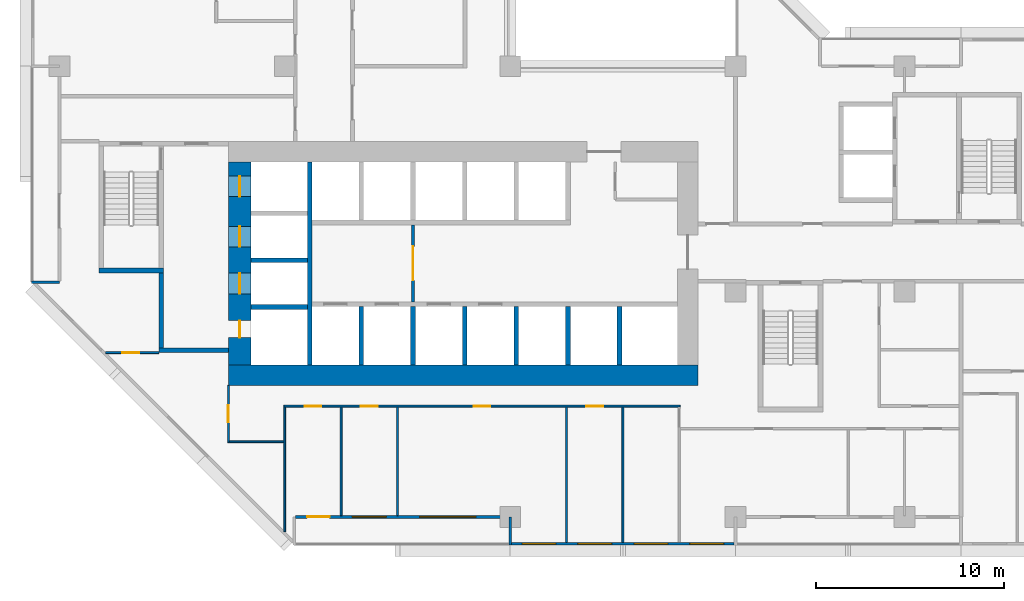
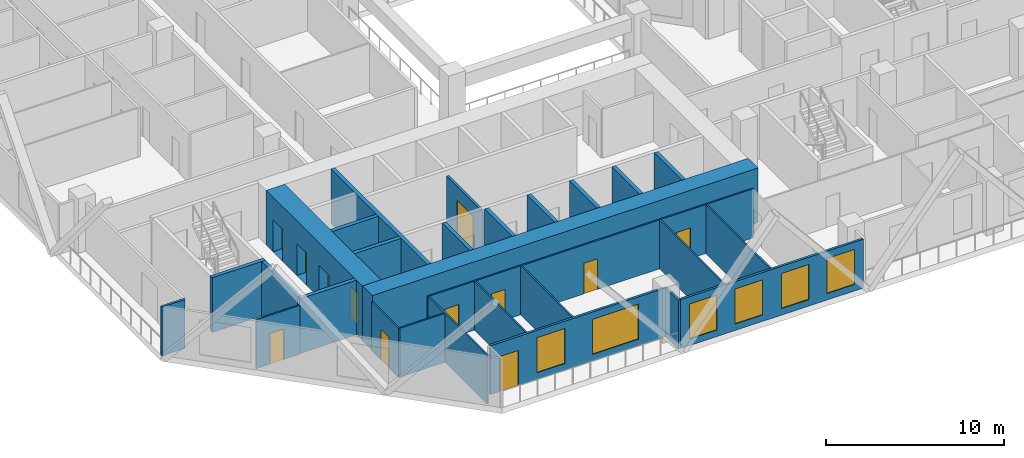
# One storey, part 4 of 15: 28 walls, 12 doors, 6 windows, 18 openings.
"""IFC4 building model written with IfcOpenShell, lengths in metres."""

import ifcopenshell
import ifcopenshell.guid

model = None  # the IFC model being written
_history = None  # IfcOwnerHistory: only IFC2X3 demands one
_inside = {}  # id of a spatial element -> (the spatial element, [elements in it])
_under = {}  # id of a project, library or spatial element -> (it, [spatial elements below it])
_declared = {}  # id of a project -> (the project, [libraries it declares])
_typed = {}  # id of a type object -> (the type object, [elements of that type])
_made_of = {}  # id of a material, layer set ... -> (it, [elements and type objects made of it])


def new_model(schema):
    """Start an empty IFC model of exactly this schema.

    Asked for "IFC4X3", IfcOpenShell would pick the latest addendum, in which some entities
    have other attributes; the version numbers below select the first issue.
    IFC2X3 requires an IfcOwnerHistory on every rooted entity: one is made here for all.
    """
    global model, _history
    if schema == "IFC4X3":
        model = ifcopenshell.file(schema_version=(4, 3, 0, 0))
    else:
        model = ifcopenshell.file(schema=schema)
    _inside.clear()
    _under.clear()
    _declared.clear()
    _typed.clear()
    _made_of.clear()
    _history = None
    if model.schema == "IFC2X3":
        org = make("IfcOrganization", Name="unknown")
        user = make(
            "IfcPersonAndOrganization",
            ThePerson=make("IfcPerson", FamilyName="unknown"),
            TheOrganization=org,
        )
        app = make(
            "IfcApplication",
            ApplicationDeveloper=org,
            Version="unknown",
            ApplicationFullName="unknown",
            ApplicationIdentifier="unknown",
        )
        _history = make(
            "IfcOwnerHistory",
            OwningUser=user,
            OwningApplication=app,
            ChangeAction="ADDED",
            CreationDate=0,
        )
    return model


def make(cls, **values):
    """One entity of the class cls with the attributes given. An attribute that is None is left unset."""
    return model.create_entity(
        cls, **{name: value for name, value in values.items() if value is not None}
    )


def rooted(cls, **values):
    """An entity with a GlobalId (a new one), such as an element, a storey or a relation."""
    return make(cls, GlobalId=ifcopenshell.guid.new(), OwnerHistory=_history, **values)


def si_unit(unit_type, name, prefix=None):
    """IfcSIUnit, for example si_unit("LENGTHUNIT", "METRE", prefix="MILLI")."""
    return make("IfcSIUnit", UnitType=unit_type, Prefix=prefix, Name=name)


def assignment(units):
    """IfcUnitAssignment: the units of a project."""
    return None if units is None else make("IfcUnitAssignment", Units=units)


def point(xyz):
    """IfcCartesianPoint."""
    return None if xyz is None else make("IfcCartesianPoint", Coordinates=xyz)


def direction(xyz):
    """IfcDirection."""
    return None if xyz is None else make("IfcDirection", DirectionRatios=xyz)


def frame(location, z_axis=None, x_axis=None):
    """IfcAxis2Placement3D, a coordinate frame: its origin and axes. An axis left out is left unset."""
    return make(
        "IfcAxis2Placement3D",
        Location=point(location),
        Axis=direction(z_axis),
        RefDirection=direction(x_axis),
    )


def frame_2d(location, x_axis=None):
    """IfcAxis2Placement2D, a coordinate frame in the plane: its origin and x axis."""
    return make(
        "IfcAxis2Placement2D", Location=point(location), RefDirection=direction(x_axis)
    )


def origin():
    """The frame at (0, 0, 0) with its axes left unset."""
    return frame((0.0, 0.0, 0.0))


def place(relative_to, where):
    """IfcLocalPlacement: puts the frame where relative to a parent placement (None: the world)."""
    return make(
        "IfcLocalPlacement", PlacementRelTo=relative_to, RelativePlacement=where
    )


def context(
    kind, dimensions, precision=None, world=None, true_north=None, identifier=None
):
    """IfcGeometricRepresentationContext, for example the 3D "Model" context."""
    return make(
        "IfcGeometricRepresentationContext",
        ContextIdentifier=identifier,
        ContextType=kind,
        CoordinateSpaceDimension=dimensions,
        Precision=precision,
        WorldCoordinateSystem=world,
        TrueNorth=true_north,
    )


def subcontext(parent, identifier, kind, view, scale=None):
    """IfcGeometricRepresentationSubContext, for example "Body" below "Model"."""
    return make(
        "IfcGeometricRepresentationSubContext",
        ContextIdentifier=identifier,
        ContextType=kind,
        ParentContext=parent,
        TargetScale=scale,
        TargetView=view,
    )


def project(units=None, contexts=None):
    """IfcProject with its units and contexts."""
    return rooted(
        "IfcProject",
        Name="project",
        RepresentationContexts=contexts,
        UnitsInContext=assignment(units),
    )


def spatial(cls, under=None, at=None, **own):
    """A site, building, storey or space (cls), placed at a placement, below another one or the project."""
    s = rooted(cls, ObjectPlacement=at, **own)
    if under is not None:
        _under.setdefault(under.id(), (under, []))[1].append(s)
    return s


def profile(cls, at=None, kind="AREA", **sizes):
    """A parametric profile (cls). Its sizes go by their IFC names, for example OverallWidth=200.0."""
    return make(cls, ProfileType=kind, Position=at, **sizes)


def rectangle(**sizes):
    """IfcRectangleProfileDef."""
    return profile("IfcRectangleProfileDef", **sizes)


def extrude(swept, where, along, depth):
    """IfcExtrudedAreaSolid: the profile swept, set in the frame where, extruded along a direction by depth."""
    return make(
        "IfcExtrudedAreaSolid",
        SweptArea=swept,
        Position=where,
        ExtrudedDirection=direction(along),
        Depth=depth,
    )


def shape(context_of_items, identifier, shape_type, items):
    """IfcShapeRepresentation: the items that make up one representation, for example the "Body"."""
    return make(
        "IfcShapeRepresentation",
        ContextOfItems=context_of_items,
        RepresentationIdentifier=identifier,
        RepresentationType=shape_type,
        Items=items,
    )


def material(Name=None, Category=None):
    """IfcMaterial."""
    return make("IfcMaterial", Name=Name, Category=Category)


def layer(
    of_material, thickness, ventilated=None, Name=None, Category=None, Priority=None
):
    """IfcMaterialLayer: one layer of a wall or slab, of a material (None: an air gap)."""
    return make(
        "IfcMaterialLayer",
        Material=of_material,
        LayerThickness=thickness,
        IsVentilated=ventilated,
        Name=Name,
        Category=Category,
        Priority=Priority,
    )


def layer_set(layers, Name=None):
    """IfcMaterialLayerSet."""
    return make("IfcMaterialLayerSet", MaterialLayers=layers, LayerSetName=Name)


def made_of(thing, what):
    """Note that an element or type object is made of a material, layer set ...; save() writes the relation."""
    if what is not None:
        _made_of.setdefault(what.id(), (what, []))[1].append(thing)
    return thing


def type_object(cls, material=None, **own):
    """A type object (cls), such as IfcWallType, which elements share."""
    return made_of(rooted(cls, **own), material)


def element(
    cls,
    number,
    at=None,
    inside=None,
    cuts=None,
    type_object=None,
    material=None,
    context=None,
    identifier="Body",
    shape_type=None,
    held_by="IfcProductDefinitionShape",
    body=None,
    shapes=None,
    **own,
):
    """One element of the class cls, such as IfcWall. Its Tag is "e" and its number.

    at: its placement. inside: the storey or other place that contains it. cuts: it is an
    opening in that element (IfcRelVoidsElement). A single representation is given by context,
    identifier, shape_type and body (its items); several are given by shapes. held_by: the class
    of the entity that holds the representations. save() writes the other relations.
    """
    e = rooted(cls, Tag="e%d" % number, ObjectPlacement=at, **own)
    if body is not None:
        shapes = [shape(context, identifier, shape_type, body)]
    if shapes is not None:
        e.Representation = make(held_by, Representations=shapes)
    if inside is not None:
        _inside.setdefault(inside.id(), (inside, []))[1].append(e)
    if cuts is not None:
        rooted(
            "IfcRelVoidsElement", RelatingBuildingElement=cuts, RelatedOpeningElement=e
        )
    if type_object is not None:
        _typed.setdefault(type_object.id(), (type_object, []))[1].append(e)
    return made_of(e, material)


def fill(opening, filler):
    """IfcRelFillsElement: the door or window that sits in an opening."""
    return rooted(
        "IfcRelFillsElement",
        RelatingOpeningElement=opening,
        RelatedBuildingElement=filler,
    )


def aggregate(whole, parts):
    """IfcRelAggregates: a whole, such as a stair, and the parts it consists of."""
    return rooted("IfcRelAggregates", RelatingObject=whole, RelatedObjects=parts)


def save(model, path):
    """Write the relations noted so far, then the file.

    IfcRelAggregates (storeys below a building ...), IfcRelContainedInSpatialStructure (elements
    in a storey), IfcRelDefinesByType, IfcRelAssociatesMaterial and IfcRelDeclares: one each for
    every whole, place, type object, material and project.
    """
    for whole, parts in _under.values():
        aggregate(whole, parts)
    for where, things in _inside.values():
        rooted(
            "IfcRelContainedInSpatialStructure",
            RelatedElements=things,
            RelatingStructure=where,
        )
    for kind, things in _typed.values():
        rooted("IfcRelDefinesByType", RelatedObjects=things, RelatingType=kind)
    for what, things in _made_of.values():
        rooted("IfcRelAssociatesMaterial", RelatedObjects=things, RelatingMaterial=what)
    for by, libraries in _declared.values():
        rooted("IfcRelDeclares", RelatingContext=by, RelatedDefinitions=libraries)
    model.write(path)


model = new_model("IFC4")

# Units and contexts
model_context = context("Model", 3, precision=1e-05, world=origin(), true_north=direction((0.0, 1.0)))
body_context = subcontext(model_context, "Body", "Model", "MODEL_VIEW")
ifc_project = project(units=[si_unit("LENGTHUNIT", "METRE"), si_unit("AREAUNIT", "SQUARE_METRE"), si_unit("VOLUMEUNIT", "CUBIC_METRE"), si_unit("PLANEANGLEUNIT", "RADIAN"), si_unit("MASSUNIT", "GRAM", prefix="KILO")], contexts=[model_context])

# Site, building, storey
site_placement = place(None, origin())
site = spatial("IfcSite", under=ifc_project, at=site_placement, CompositionType="ELEMENT")
building_placement = place(site_placement, origin())
building = spatial("IfcBuilding", under=site, at=building_placement, Name="Chenar Terraces", CompositionType="ELEMENT")
storey_placement = place(building_placement, frame((0.0, 0.0, 41.39990234375)))
storey = spatial("IfcBuildingStorey", under=building, at=storey_placement, Name="L07", CompositionType="ELEMENT", Elevation=41.39990234375)

# Wall, opening, door
ifc_material_1 = material(Name="Gypsum board on steel studs", Category="steel")
ifc_layer_1 = layer(ifc_material_1, 0.14990234375)
ifc_layer_set_1 = layer_set([ifc_layer_1], Name="Gypsum board on steel studs")
wall_type_1 = type_object("IfcWallType", Name="Core partition 150 gypsum board", PredefinedType="PARTITIONING", material=ifc_layer_set_1)
wall_1_placement = place(storey_placement, frame((18.824951171875, 11.449951171875, 0.0), z_axis=(0.0, 0.0, 1.0), x_axis=(0.0, 1.0, 0.0)))
wall_1 = element("IfcWall", 1, at=wall_1_placement, inside=storey, type_object=wall_type_1, Name="Core partition CP1 lift lobby smoke stop", PredefinedType="PARTITIONING", context=body_context, shape_type="SweptSolid", body=[
    extrude(rectangle(XDim=4.10009765625, YDim=0.14990234375, at=frame_2d((2.050048828125, 0.0))), origin(), (0.0, 0.0, 1.0), 3.35009765625),
])
opening_1_placement = place(wall_1_placement, frame((1.14990234375, 0.0, 0.0)))
opening_1 = element("IfcOpeningElement", 2, at=opening_1_placement, cuts=wall_1, Name="Opening DL07-C12", PredefinedType="OPENING", context=body_context, shape_type="SweptSolid", body=[
    extrude(rectangle(XDim=1.800048828125, YDim=2.39990234375, at=frame_2d((0.89990234375, 1.199951171875))), frame((0.0, 0.0849609375, 0.0), z_axis=(0.0, -1.0, 0.0), x_axis=(1.0, 0.0, 0.0)), (0.0, 0.0, 1.0), 0.169921875),
])
ifc_material_2 = material(Name="Steel-framed fire-resisting door leaf", Category="steel")
door_type_1 = type_object("IfcDoorType", Name="Core entrance double fire door FD60 1800 x 2400", OperationType="DOUBLE_DOOR_SINGLE_SWING", PredefinedType="DOOR", material=ifc_material_2)
door_1_placement = place(opening_1_placement, origin())
door_1 = element("IfcDoor", 3, at=door_1_placement, inside=storey, type_object=door_type_1, Name="Core door DL07-C12", OperationType="DOUBLE_DOOR_SINGLE_SWING", OverallHeight=2.39990234375, OverallWidth=1.800048828125, PredefinedType="DOOR", context=body_context, shape_type="SweptSolid", body=[
    extrude(rectangle(XDim=1.800048828125, YDim=2.39990234375, at=frame_2d((0.89990234375, 1.199951171875))), frame((0.0, 0.02490234375, 0.0), z_axis=(0.0, -1.0, 0.0), x_axis=(1.0, 0.0, 0.0)), (0.0, 0.0, 1.0), 0.050048828125),
])
fill(opening_1, door_1)

# Wall
ifc_material_3 = material(Name="Concrete C70/85", Category="concrete")
ifc_layer_2 = layer(ifc_material_3, 1.10009765625)
ifc_layer_set_2 = layer_set([ifc_layer_2], Name="Concrete C70/85")
wall_type_2 = type_object("IfcWallType", Name="Core wall 1100 Concrete C70/85", PredefinedType="SHEAR", material=ifc_layer_set_2)
wall_2_placement = place(storey_placement, frame((9.0, 7.550048828125, 0.0), z_axis=(0.0, 0.0, 1.0), x_axis=(1.0, 0.0, 0.0)))
element("IfcWall", 4, at=wall_2_placement, inside=storey, type_object=wall_type_2, Name="Core wall S L07", PredefinedType="SHEAR", context=body_context, shape_type="SweptSolid", body=[
    extrude(rectangle(XDim=25.0, YDim=1.10009765625, at=frame_2d((12.5, 0.0))), origin(), (0.0, 0.0, 1.0), 3.75),
])

# Wall, openings, doors
ifc_material_4 = material(Name="Concrete C70/85", Category="concrete")
ifc_layer_3 = layer(ifc_material_4, 1.199951171875)
ifc_layer_set_3 = layer_set([ifc_layer_3], Name="Concrete C70/85")
wall_type_3 = type_object("IfcWallType", Name="Core wall 1200 Concrete C70/85", PredefinedType="SHEAR", material=ifc_layer_set_3)
wall_3_placement = place(storey_placement, frame((9.60009765625, 8.10009765625, 0.0), z_axis=(0.0, 0.0, 1.0), x_axis=(0.0, 1.0, 0.0)))
wall_3 = element("IfcWall", 5, at=wall_3_placement, inside=storey, type_object=wall_type_3, Name="Core wall W L07", PredefinedType="SHEAR", context=body_context, shape_type="SweptSolid", body=[
    extrude(rectangle(XDim=10.7998046875, YDim=1.199951171875, at=frame_2d((5.39990234375, 0.0))), origin(), (0.0, 0.0, 1.0), 3.75),
])
opening_2_placement = place(wall_3_placement, frame((3.77490234375, 0.0, 0.0)))
opening_2 = element("IfcOpeningElement", 6, at=opening_2_placement, cuts=wall_3, Name="Opening DL07-LD5", PredefinedType="OPENING", context=body_context, shape_type="SweptSolid", body=[
    extrude(rectangle(XDim=1.10009765625, YDim=2.199951171875, at=frame_2d((0.550048828125, 1.10009765625))), frame((0.0, 0.60986328125, 0.0), z_axis=(0.0, -1.0, 0.0), x_axis=(1.0, 0.0, 0.0)), (0.0, 0.0, 1.0), 1.219970703125),
])
opening_3_placement = place(wall_3_placement, frame((6.27490234375, 0.0, 0.0)))
opening_3 = element("IfcOpeningElement", 7, at=opening_3_placement, cuts=wall_3, Name="Opening DL07-LD6", PredefinedType="OPENING", context=body_context, shape_type="SweptSolid", body=[
    extrude(rectangle(XDim=1.10009765625, YDim=2.199951171875, at=frame_2d((0.550048828125, 1.10009765625))), frame((0.0, 0.60986328125, 0.0), z_axis=(0.0, -1.0, 0.0), x_axis=(1.0, 0.0, 0.0)), (0.0, 0.0, 1.0), 1.219970703125),
])
opening_4_placement = place(wall_3_placement, frame((8.949951171875, 0.0, 0.0)))
opening_4 = element("IfcOpeningElement", 8, at=opening_4_placement, cuts=wall_3, Name="Opening DL07-LD7", PredefinedType="OPENING", context=body_context, shape_type="SweptSolid", body=[
    extrude(rectangle(XDim=1.10009765625, YDim=2.199951171875, at=frame_2d((0.550048828125, 1.10009765625))), frame((0.0, 0.60986328125, 0.0), z_axis=(0.0, -1.0, 0.0), x_axis=(1.0, 0.0, 0.0)), (0.0, 0.0, 1.0), 1.219970703125),
])
opening_5_placement = place(wall_3_placement, frame((1.449951171875, 0.0, 0.0)))
opening_5 = element("IfcOpeningElement", 9, at=opening_5_placement, cuts=wall_3, Name="Opening DL07-C4", PredefinedType="OPENING", context=body_context, shape_type="SweptSolid", body=[
    extrude(rectangle(XDim=0.89990234375, YDim=2.10009765625, at=frame_2d((0.449951171875, 1.050048828125))), frame((0.0, 0.60986328125, 0.0), z_axis=(0.0, -1.0, 0.0), x_axis=(1.0, 0.0, 0.0)), (0.0, 0.0, 1.0), 1.219970703125),
])
ifc_material_5 = material(Name="Stainless steel", Category="steel")
door_type_2 = type_object("IfcDoorType", Name="Lift landing door 1100 x 2200 sliding", OperationType="DOUBLE_DOOR_SLIDING", PredefinedType="DOOR", material=ifc_material_5)
door_2_placement = place(opening_2_placement, origin())
door_2 = element("IfcDoor", 10, at=door_2_placement, inside=storey, type_object=door_type_2, Name="Landing door S1", OperationType="DOUBLE_DOOR_SLIDING", OverallHeight=2.199951171875, OverallWidth=1.10009765625, PredefinedType="DOOR", context=body_context, shape_type="SweptSolid", body=[
    extrude(rectangle(XDim=1.10009765625, YDim=2.199951171875, at=frame_2d((0.550048828125, 1.10009765625))), frame((0.0, 0.02490234375, 0.0), z_axis=(0.0, -1.0, 0.0), x_axis=(1.0, 0.0, 0.0)), (0.0, 0.0, 1.0), 0.050048828125),
])
fill(opening_2, door_2)
door_3_placement = place(opening_3_placement, origin())
door_3 = element("IfcDoor", 11, at=door_3_placement, inside=storey, type_object=door_type_2, Name="Landing door F1", OperationType="DOUBLE_DOOR_SLIDING", OverallHeight=2.199951171875, OverallWidth=1.10009765625, PredefinedType="DOOR", context=body_context, shape_type="SweptSolid", body=[
    extrude(rectangle(XDim=1.10009765625, YDim=2.199951171875, at=frame_2d((0.550048828125, 1.10009765625))), frame((0.0, 0.02490234375, 0.0), z_axis=(0.0, -1.0, 0.0), x_axis=(1.0, 0.0, 0.0)), (0.0, 0.0, 1.0), 0.050048828125),
])
fill(opening_3, door_3)
door_4_placement = place(opening_4_placement, origin())
door_4 = element("IfcDoor", 12, at=door_4_placement, inside=storey, type_object=door_type_2, Name="Landing door F2", OperationType="DOUBLE_DOOR_SLIDING", OverallHeight=2.199951171875, OverallWidth=1.10009765625, PredefinedType="DOOR", context=body_context, shape_type="SweptSolid", body=[
    extrude(rectangle(XDim=1.10009765625, YDim=2.199951171875, at=frame_2d((0.550048828125, 1.10009765625))), frame((0.0, 0.02490234375, 0.0), z_axis=(0.0, -1.0, 0.0), x_axis=(1.0, 0.0, 0.0)), (0.0, 0.0, 1.0), 0.050048828125),
])
fill(opening_4, door_4)
ifc_material_6 = material(Name="Steel-framed fire-resisting door leaf", Category="steel")
door_type_3 = type_object("IfcDoorType", Name="Riser fire door FD60 900 x 2100", OperationType="SINGLE_SWING_LEFT", PredefinedType="DOOR", material=ifc_material_6)
door_5_placement = place(opening_5_placement, frame((0.89990234375, 0.0, 0.0), z_axis=(0.0, 0.0, 1.0), x_axis=(-1.0, 0.0, 0.0)))
door_5 = element("IfcDoor", 13, at=door_5_placement, inside=storey, type_object=door_type_3, Name="Riser door DL07-C4", OperationType="SINGLE_SWING_RIGHT", OverallHeight=2.10009765625, OverallWidth=0.89990234375, PredefinedType="DOOR", context=body_context, shape_type="SweptSolid", body=[
    extrude(rectangle(XDim=0.89990234375, YDim=2.10009765625, at=frame_2d((0.449951171875, 1.050048828125))), frame((0.0, 0.02490234375, 0.0), z_axis=(0.0, -1.0, 0.0), x_axis=(1.0, 0.0, 0.0)), (0.0, 0.0, 1.0), 0.050048828125),
])
fill(opening_5, door_5)

# Walls
ifc_material_7 = material(Name="Concrete C70/85", Category="concrete")
ifc_layer_4 = layer(ifc_material_7, 0.25)
ifc_layer_set_4 = layer_set([ifc_layer_4], Name="Concrete C70/85")
wall_type_4 = type_object("IfcWallType", Name="Core wall 250 Concrete C70/85", PredefinedType="SHEAR", material=ifc_layer_set_4)
wall_4_placement = place(storey_placement, frame((13.324951171875, 8.10009765625, 0.0), z_axis=(0.0, 0.0, 1.0), x_axis=(0.0, 1.0, 0.0)))
element("IfcWall", 14, at=wall_4_placement, inside=storey, type_object=wall_type_4, Name="Core wall WI L07", PredefinedType="SHEAR", context=body_context, shape_type="SweptSolid", body=[
    extrude(rectangle(XDim=10.7998046875, YDim=0.25, at=frame_2d((5.39990234375, 0.0))), origin(), (0.0, 0.0, 1.0), 3.75),
])
for number, where, z_axis, x_axis, name in (
    (15, (10.199951171875, 11.175048828125, 0.0), (0.0, 0.0, 1.0), (1.0, 0.0, 0.0), "Core wall HW0 L07"),
    (16, (10.199951171875, 13.675048828125, 0.0), (0.0, 0.0, 1.0), (1.0, 0.0, 0.0), "Core wall HW1 L07"),
):
    element("IfcWall", number, at=place(storey_placement, frame(where, z_axis=z_axis, x_axis=x_axis)), inside=storey, type_object=wall_type_4, Name=name, PredefinedType="SHEAR", context=body_context, shape_type="SweptSolid", body=[
        extrude(rectangle(XDim=3.0, YDim=0.25, at=frame_2d((1.5, 0.0))), origin(), (0.0, 0.0, 1.0), 3.75),
    ])
for number, where, z_axis, x_axis, name in (
    (17, (16.074951171875, 8.10009765625, 0.0), (0.0, 0.0, 1.0), (0.0, 1.0, 0.0), "Core wall SS0 L07"),
    (18, (18.824951171875, 8.10009765625, 0.0), (0.0, 0.0, 1.0), (0.0, 1.0, 0.0), "Core wall SS1 L07"),
    (19, (21.574951171875, 8.10009765625, 0.0), (0.0, 0.0, 1.0), (0.0, 1.0, 0.0), "Core wall SS2 L07"),
    (20, (24.324951171875, 8.10009765625, 0.0), (0.0, 0.0, 1.0), (0.0, 1.0, 0.0), "Core wall SS3 L07"),
    (21, (27.074951171875, 8.10009765625, 0.0), (0.0, 0.0, 1.0), (0.0, 1.0, 0.0), "Core wall SS4 L07"),
    (22, (29.824951171875, 8.10009765625, 0.0), (0.0, 0.0, 1.0), (0.0, 1.0, 0.0), "Core wall SS5 L07"),
):
    element("IfcWall", number, at=place(storey_placement, frame(where, z_axis=z_axis, x_axis=x_axis)), inside=storey, type_object=wall_type_4, Name=name, PredefinedType="SHEAR", context=body_context, shape_type="SweptSolid", body=[
        extrude(rectangle(XDim=3.099853515625, YDim=0.25, at=frame_2d((1.5498046875, 0.0))), origin(), (0.0, 0.0, 1.0), 3.75),
    ])
wall_5_placement = place(storey_placement, frame((2.10009765625, 13.125, 0.0), z_axis=(0.0, 0.0, 1.0), x_axis=(1.0, 0.0, 0.0)))
element("IfcWall", 23, at=wall_5_placement, inside=storey, type_object=wall_type_4, Name="Core wall ST1_S L07", PredefinedType="SHEAR", context=body_context, shape_type="SweptSolid", body=[
    extrude(rectangle(XDim=3.449951171875, YDim=0.25, at=frame_2d((1.72509765625, 0.0))), origin(), (0.0, 0.0, 1.0), 3.75),
])
wall_6_placement = place(storey_placement, frame((5.300048828125, 8.875, 0.0), z_axis=(0.0, 0.0, 1.0), x_axis=(1.0, 0.0, 0.0)))
element("IfcWall", 24, at=wall_6_placement, inside=storey, type_object=wall_type_4, Name="Core wall FFL_S L07", PredefinedType="SHEAR", context=body_context, shape_type="SweptSolid", body=[
    extrude(rectangle(XDim=3.699951171875, YDim=0.25, at=frame_2d((1.85009765625, 0.0))), origin(), (0.0, 0.0, 1.0), 3.75),
])
wall_7_placement = place(storey_placement, frame((5.425048828125, 9.0, 0.0), z_axis=(0.0, 0.0, 1.0), x_axis=(0.0, 1.0, 0.0)))
element("IfcWall", 25, at=wall_7_placement, inside=storey, type_object=wall_type_4, Name="Core wall FFL_W L07", PredefinedType="SHEAR", context=body_context, shape_type="SweptSolid", body=[
    extrude(rectangle(XDim=4.0, YDim=0.25, at=frame_2d((2.0, 0.0))), origin(), (0.0, 0.0, 1.0), 3.75),
])

# Wall, openings, windows
ifc_material_8 = material(Name="Aluminium framed glazing", Category="aluminium")
ifc_layer_5 = layer(ifc_material_8, 0.14990234375)
ifc_layer_set_5 = layer_set([ifc_layer_5], Name="Aluminium framed glazing")
wall_type_5 = type_object("IfcWallType", Name="Glazed flush facade wall 150", PredefinedType="SOLIDWALL", material=ifc_layer_set_5)
wall_8_placement = place(storey_placement, frame((24.074951171875, -1.425048828125, 0.0), z_axis=(0.0, 0.0, 1.0), x_axis=(1.0, 0.0, 0.0)))
wall_8 = element("IfcWall", 26, at=wall_8_placement, inside=storey, type_object=wall_type_5, Name="Glazed flush facade wall", PredefinedType="SOLIDWALL", context=body_context, shape_type="SweptSolid", body=[
    extrude(rectangle(XDim=11.85009765625, YDim=0.14990234375, at=frame_2d((5.925048828125, 0.0))), origin(), (0.0, 0.0, 1.0), 3.35009765625),
])
opening_6_placement = place(wall_8_placement, frame((0.5625, 0.0, 0.449951171875)))
opening_6 = element("IfcOpeningElement", 27, at=opening_6_placement, cuts=wall_8, Name="Opening W180x240", PredefinedType="OPENING", context=body_context, shape_type="SweptSolid", body=[
    extrude(rectangle(XDim=1.800048828125, YDim=2.39990234375, at=frame_2d((0.89990234375, 1.199951171875))), frame((0.0, 0.0849609375, 0.0), z_axis=(0.0, -1.0, 0.0), x_axis=(1.0, 0.0, 0.0)), (0.0, 0.0, 1.0), 0.169921875),
])
opening_7_placement = place(wall_8_placement, frame((3.52490234375, 0.0, 0.449951171875)))
opening_7 = element("IfcOpeningElement", 28, at=opening_7_placement, cuts=wall_8, Name="Opening W180x240", PredefinedType="OPENING", context=body_context, shape_type="SweptSolid", body=[
    extrude(rectangle(XDim=1.800048828125, YDim=2.39990234375, at=frame_2d((0.89990234375, 1.199951171875))), frame((0.0, 0.0849609375, 0.0), z_axis=(0.0, -1.0, 0.0), x_axis=(1.0, 0.0, 0.0)), (0.0, 0.0, 1.0), 0.169921875),
])
opening_8_placement = place(wall_8_placement, frame((6.52490234375, 0.0, 0.449951171875)))
opening_8 = element("IfcOpeningElement", 29, at=opening_8_placement, cuts=wall_8, Name="Opening W180x240", PredefinedType="OPENING", context=body_context, shape_type="SweptSolid", body=[
    extrude(rectangle(XDim=1.800048828125, YDim=2.39990234375, at=frame_2d((0.89990234375, 1.199951171875))), frame((0.0, 0.0849609375, 0.0), z_axis=(0.0, -1.0, 0.0), x_axis=(1.0, 0.0, 0.0)), (0.0, 0.0, 1.0), 0.169921875),
])
opening_9_placement = place(wall_8_placement, frame((9.487548828125, 0.0, 0.449951171875)))
opening_9 = element("IfcOpeningElement", 30, at=opening_9_placement, cuts=wall_8, Name="Opening W180x240", PredefinedType="OPENING", context=body_context, shape_type="SweptSolid", body=[
    extrude(rectangle(XDim=1.800048828125, YDim=2.39990234375, at=frame_2d((0.89990234375, 1.199951171875))), frame((0.0, 0.0849609375, 0.0), z_axis=(0.0, -1.0, 0.0), x_axis=(1.0, 0.0, 0.0)), (0.0, 0.0, 1.0), 0.169921875),
])
ifc_material_9 = material(Name="Low emissivity double glazing, aluminium frame", Category="aluminium")
window_type_1 = type_object("IfcWindowType", Name="Fixed light 1800 x 2400", PartitioningType="SINGLE_PANEL", PredefinedType="WINDOW", material=ifc_material_9)
window_1_placement = place(opening_6_placement, origin())
window_1 = element("IfcWindow", 31, at=window_1_placement, inside=storey, type_object=window_type_1, Name="Window", OverallHeight=2.39990234375, OverallWidth=1.800048828125, PartitioningType="SINGLE_PANEL", PredefinedType="WINDOW", context=body_context, shape_type="SweptSolid", body=[
    extrude(rectangle(XDim=1.800048828125, YDim=2.39990234375, at=frame_2d((0.89990234375, 1.199951171875))), frame((0.0, 0.030029296875, 0.0), z_axis=(0.0, -1.0, 0.0), x_axis=(1.0, 0.0, 0.0)), (0.0, 0.0, 1.0), 0.06005859375),
])
fill(opening_6, window_1)
window_2_placement = place(opening_7_placement, origin())
window_2 = element("IfcWindow", 32, at=window_2_placement, inside=storey, type_object=window_type_1, Name="Window", OverallHeight=2.39990234375, OverallWidth=1.800048828125, PartitioningType="SINGLE_PANEL", PredefinedType="WINDOW", context=body_context, shape_type="SweptSolid", body=[
    extrude(rectangle(XDim=1.800048828125, YDim=2.39990234375, at=frame_2d((0.89990234375, 1.199951171875))), frame((0.0, 0.030029296875, 0.0), z_axis=(0.0, -1.0, 0.0), x_axis=(1.0, 0.0, 0.0)), (0.0, 0.0, 1.0), 0.06005859375),
])
fill(opening_7, window_2)
window_3_placement = place(opening_8_placement, origin())
window_3 = element("IfcWindow", 33, at=window_3_placement, inside=storey, type_object=window_type_1, Name="Window", OverallHeight=2.39990234375, OverallWidth=1.800048828125, PartitioningType="SINGLE_PANEL", PredefinedType="WINDOW", context=body_context, shape_type="SweptSolid", body=[
    extrude(rectangle(XDim=1.800048828125, YDim=2.39990234375, at=frame_2d((0.89990234375, 1.199951171875))), frame((0.0, 0.030029296875, 0.0), z_axis=(0.0, -1.0, 0.0), x_axis=(1.0, 0.0, 0.0)), (0.0, 0.0, 1.0), 0.06005859375),
])
fill(opening_8, window_3)
window_4_placement = place(opening_9_placement, origin())
window_4 = element("IfcWindow", 34, at=window_4_placement, inside=storey, type_object=window_type_1, Name="Window", OverallHeight=2.39990234375, OverallWidth=1.800048828125, PartitioningType="SINGLE_PANEL", PredefinedType="WINDOW", context=body_context, shape_type="SweptSolid", body=[
    extrude(rectangle(XDim=1.800048828125, YDim=2.39990234375, at=frame_2d((0.89990234375, 1.199951171875))), frame((0.0, 0.030029296875, 0.0), z_axis=(0.0, -1.0, 0.0), x_axis=(1.0, 0.0, 0.0)), (0.0, 0.0, 1.0), 0.06005859375),
])
fill(opening_9, window_4)

# Wall, openings, windows, door
ifc_material_10 = material(Name="Aluminium framed glazing", Category="aluminium")
ifc_layer_6 = layer(ifc_material_10, 0.14990234375)
ifc_layer_set_6 = layer_set([ifc_layer_6], Name="Aluminium framed glazing")
wall_type_6 = type_object("IfcWallType", Name="Glazed loggia back wall 150", PredefinedType="SOLIDWALL", material=ifc_layer_set_6)
wall_9_placement = place(storey_placement, frame((12.574951171875, 0.0, 0.0), z_axis=(0.0, 0.0, 1.0), x_axis=(1.0, 0.0, 0.0)))
wall_9 = element("IfcWall", 35, at=wall_9_placement, inside=storey, type_object=wall_type_6, Name="Glazed loggia back wall", PredefinedType="SOLIDWALL", context=body_context, shape_type="SweptSolid", body=[
    extrude(rectangle(XDim=11.35009765625, YDim=0.14990234375, at=frame_2d((5.675048828125, 0.0))), origin(), (0.0, 0.0, 1.0), 3.35009765625),
])
opening_10_placement = place(wall_9_placement, frame((0.612548828125, 0.0, 0.0)))
opening_10 = element("IfcOpeningElement", 36, at=opening_10_placement, cuts=wall_9, Name="Opening DL07-G6", PredefinedType="OPENING", context=body_context, shape_type="SweptSolid", body=[
    extrude(rectangle(XDim=1.199951171875, YDim=2.39990234375, at=frame_2d((0.60009765625, 1.199951171875))), frame((0.0, 0.0849609375, 0.0), z_axis=(0.0, -1.0, 0.0), x_axis=(1.0, 0.0, 0.0)), (0.0, 0.0, 1.0), 0.169921875),
])
opening_11_placement = place(wall_9_placement, frame((3.02490234375, 0.0, 0.449951171875)))
opening_11 = element("IfcOpeningElement", 37, at=opening_11_placement, cuts=wall_9, Name="Opening W180x240", PredefinedType="OPENING", context=body_context, shape_type="SweptSolid", body=[
    extrude(rectangle(XDim=1.800048828125, YDim=2.39990234375, at=frame_2d((0.89990234375, 1.199951171875))), frame((0.0, 0.0849609375, 0.0), z_axis=(0.0, -1.0, 0.0), x_axis=(1.0, 0.0, 0.0)), (0.0, 0.0, 1.0), 0.169921875),
])
opening_12_placement = place(wall_9_placement, frame((6.60009765625, 0.0, 0.449951171875)))
opening_12 = element("IfcOpeningElement", 38, at=opening_12_placement, cuts=wall_9, Name="Opening W300x240", PredefinedType="OPENING", context=body_context, shape_type="SweptSolid", body=[
    extrude(rectangle(XDim=3.0, YDim=2.39990234375, at=frame_2d((1.5, 1.199951171875))), frame((0.0, 0.0849609375, 0.0), z_axis=(0.0, -1.0, 0.0), x_axis=(1.0, 0.0, 0.0)), (0.0, 0.0, 1.0), 0.169921875),
])
window_5_placement = place(opening_11_placement, origin())
window_5 = element("IfcWindow", 39, at=window_5_placement, inside=storey, type_object=window_type_1, Name="Window", OverallHeight=2.39990234375, OverallWidth=1.800048828125, PartitioningType="SINGLE_PANEL", PredefinedType="WINDOW", context=body_context, shape_type="SweptSolid", body=[
    extrude(rectangle(XDim=1.800048828125, YDim=2.39990234375, at=frame_2d((0.89990234375, 1.199951171875))), frame((0.0, 0.030029296875, 0.0), z_axis=(0.0, -1.0, 0.0), x_axis=(1.0, 0.0, 0.0)), (0.0, 0.0, 1.0), 0.06005859375),
])
fill(opening_11, window_5)
ifc_material_11 = material(Name="Low emissivity double glazing, aluminium frame", Category="aluminium")
window_type_2 = type_object("IfcWindowType", Name="Fixed light 3000 x 2400", PartitioningType="SINGLE_PANEL", PredefinedType="WINDOW", material=ifc_material_11)
window_6_placement = place(opening_12_placement, origin())
window_6 = element("IfcWindow", 40, at=window_6_placement, inside=storey, type_object=window_type_2, Name="Window", OverallHeight=2.39990234375, OverallWidth=3.0, PartitioningType="SINGLE_PANEL", PredefinedType="WINDOW", context=body_context, shape_type="SweptSolid", body=[
    extrude(rectangle(XDim=3.0, YDim=2.39990234375, at=frame_2d((1.5, 1.199951171875))), frame((0.0, 0.030029296875, 0.0), z_axis=(0.0, -1.0, 0.0), x_axis=(1.0, 0.0, 0.0)), (0.0, 0.0, 1.0), 0.06005859375),
])
fill(opening_12, window_6)
ifc_material_12 = material(Name="Low emissivity double glazing, aluminium frame", Category="aluminium")
door_type_4 = type_object("IfcDoorType", Name="Loggia glazed double door 1200 x 2400", OperationType="DOUBLE_DOOR_SINGLE_SWING", PredefinedType="DOOR", material=ifc_material_12)
door_6_placement = place(opening_10_placement, frame((1.199951171875, 0.0, 0.0), z_axis=(0.0, 0.0, 1.0), x_axis=(-1.0, 0.0, 0.0)))
door_6 = element("IfcDoor", 41, at=door_6_placement, inside=storey, type_object=door_type_4, Name="Loggia glazed door", OperationType="DOUBLE_DOOR_SINGLE_SWING", OverallHeight=2.39990234375, OverallWidth=1.199951171875, PredefinedType="DOOR", context=body_context, shape_type="SweptSolid", body=[
    extrude(rectangle(XDim=1.199951171875, YDim=2.39990234375, at=frame_2d((0.60009765625, 1.199951171875))), frame((0.0, 0.02490234375, 0.0), z_axis=(0.0, -1.0, 0.0), x_axis=(1.0, 0.0, 0.0)), (0.0, 0.0, 1.0), 0.050048828125),
])
fill(opening_10, door_6)

# Wall, opening, door
ifc_material_13 = material(Name="Gypsum board on steel studs", Category="steel")
ifc_layer_7 = layer(ifc_material_13, 0.10009765625)
ifc_layer_set_7 = layer_set([ifc_layer_7], Name="Gypsum board on steel studs")
wall_type_7 = type_object("IfcWallType", Name="Gypsum partition 100", PredefinedType="PARTITIONING", material=ifc_layer_set_7)
wall_10_placement = place(storey_placement, frame((2.4609375, 8.75, 0.0), z_axis=(0.0, 0.0, 1.0), x_axis=(1.0, 0.0, 0.0)))
wall_10 = element("IfcWall", 42, at=wall_10_placement, inside=storey, type_object=wall_type_7, Name="Partition L07-011", PredefinedType="PARTITIONING", context=body_context, shape_type="SweptSolid", body=[
    extrude(rectangle(XDim=2.839111328125, YDim=0.10009765625, at=frame_2d((1.41943359375, 0.0))), origin(), (0.0, 0.0, 1.0), 3.35009765625),
])
opening_13_placement = place(wall_10_placement, frame((0.888916015625, 0.0, 0.0)))
opening_13 = element("IfcOpeningElement", 43, at=opening_13_placement, cuts=wall_10, Name="Opening DL07-60", PredefinedType="OPENING", context=body_context, shape_type="SweptSolid", body=[
    extrude(rectangle(XDim=0.89990234375, YDim=2.10009765625, at=frame_2d((0.449951171875, 1.050048828125))), frame((0.0, 0.06005859375, 0.0), z_axis=(0.0, -1.0, 0.0), x_axis=(1.0, 0.0, 0.0)), (0.0, 0.0, 1.0), 0.1201171875),
])
ifc_material_14 = material(Name="Veneered timber door leaf", Category="wood")
door_type_5 = type_object("IfcDoorType", Name="Door 900 x 2100", OperationType="SINGLE_SWING_LEFT", PredefinedType="DOOR", material=ifc_material_14)
door_7_placement = place(opening_13_placement, frame((0.89990234375, 0.0, 0.0), z_axis=(0.0, 0.0, 1.0), x_axis=(-1.0, 0.0, 0.0)))
door_7 = element("IfcDoor", 44, at=door_7_placement, inside=storey, type_object=door_type_5, Name="Door DL07-60", OperationType="SINGLE_SWING_RIGHT", OverallHeight=2.10009765625, OverallWidth=0.89990234375, PredefinedType="DOOR", context=body_context, shape_type="SweptSolid", body=[
    extrude(rectangle(XDim=0.89990234375, YDim=2.10009765625, at=frame_2d((0.449951171875, 1.050048828125))), frame((0.0, 0.02490234375, 0.0), z_axis=(0.0, -1.0, 0.0), x_axis=(1.0, 0.0, 0.0)), (0.0, 0.0, 1.0), 0.050048828125),
])
fill(opening_13, door_7)

wall_11_placement = place(storey_placement, frame((9.0, 3.949951171875, 0.0), z_axis=(0.0, 0.0, 1.0), x_axis=(0.0, 1.0, 0.0)))
wall_11 = element("IfcWall", 45, at=wall_11_placement, inside=storey, type_object=wall_type_7, Name="Partition L07-032", PredefinedType="PARTITIONING", context=body_context, shape_type="SweptSolid", body=[
    extrude(rectangle(XDim=3.050048828125, YDim=0.10009765625, at=frame_2d((1.52490234375, 0.0))), origin(), (0.0, 0.0, 1.0), 3.35009765625),
])
opening_14_placement = place(wall_11_placement, frame((1.10009765625, 0.0, 0.0)))
opening_14 = element("IfcOpeningElement", 46, at=opening_14_placement, cuts=wall_11, Name="Opening DL07-59", PredefinedType="OPENING", context=body_context, shape_type="SweptSolid", body=[
    extrude(rectangle(XDim=0.89990234375, YDim=2.10009765625, at=frame_2d((0.449951171875, 1.050048828125))), frame((0.0, 0.06005859375, 0.0), z_axis=(0.0, -1.0, 0.0), x_axis=(1.0, 0.0, 0.0)), (0.0, 0.0, 1.0), 0.1201171875),
])
door_8_placement = place(opening_14_placement, origin())
door_8 = element("IfcDoor", 47, at=door_8_placement, inside=storey, type_object=door_type_5, Name="Door DL07-59", OperationType="SINGLE_SWING_LEFT", OverallHeight=2.10009765625, OverallWidth=0.89990234375, PredefinedType="DOOR", context=body_context, shape_type="SweptSolid", body=[
    extrude(rectangle(XDim=0.89990234375, YDim=2.10009765625, at=frame_2d((0.449951171875, 1.050048828125))), frame((0.0, 0.02490234375, 0.0), z_axis=(0.0, -1.0, 0.0), x_axis=(1.0, 0.0, 0.0)), (0.0, 0.0, 1.0), 0.050048828125),
])
fill(opening_14, door_8)

# Wall
wall_12_placement = place(storey_placement, frame((9.050048828125, 4.0, 0.0), z_axis=(0.0, 0.0, 1.0), x_axis=(1.0, 0.0, 0.0)))
element("IfcWall", 48, at=wall_12_placement, inside=storey, type_object=wall_type_7, Name="Partition L07-033", PredefinedType="PARTITIONING", context=body_context, shape_type="SweptSolid", body=[
    extrude(rectangle(XDim=2.89990234375, YDim=0.10009765625, at=frame_2d((1.449951171875, 0.0))), origin(), (0.0, 0.0, 1.0), 3.35009765625),
])

# Wall, openings, doors
wall_13_placement = place(storey_placement, frame((11.949951171875, 5.89990234375, 0.0), z_axis=(0.0, 0.0, 1.0), x_axis=(1.0, 0.0, 0.0)))
wall_13 = element("IfcWall", 49, at=wall_13_placement, inside=storey, type_object=wall_type_7, Name="Partition L07-034", PredefinedType="PARTITIONING", context=body_context, shape_type="SweptSolid", body=[
    extrude(rectangle(XDim=21.10009765625, YDim=0.10009765625, at=frame_2d((10.550048828125, 0.0))), origin(), (0.0, 0.0, 1.0), 3.35009765625),
])
opening_15_placement = place(wall_13_placement, frame((1.10009765625, 0.0, 0.0)))
opening_15 = element("IfcOpeningElement", 50, at=opening_15_placement, cuts=wall_13, Name="Opening DL07-53", PredefinedType="OPENING", context=body_context, shape_type="SweptSolid", body=[
    extrude(rectangle(XDim=0.89990234375, YDim=2.10009765625, at=frame_2d((0.449951171875, 1.050048828125))), frame((0.0, 0.06005859375, 0.0), z_axis=(0.0, -1.0, 0.0), x_axis=(1.0, 0.0, 0.0)), (0.0, 0.0, 1.0), 0.1201171875),
])
opening_16_placement = place(wall_13_placement, frame((4.10009765625, 0.0, 0.0)))
opening_16 = element("IfcOpeningElement", 51, at=opening_16_placement, cuts=wall_13, Name="Opening DL07-54", PredefinedType="OPENING", context=body_context, shape_type="SweptSolid", body=[
    extrude(rectangle(XDim=0.89990234375, YDim=2.10009765625, at=frame_2d((0.449951171875, 1.050048828125))), frame((0.0, 0.06005859375, 0.0), z_axis=(0.0, -1.0, 0.0), x_axis=(1.0, 0.0, 0.0)), (0.0, 0.0, 1.0), 0.1201171875),
])
opening_17_placement = place(wall_13_placement, frame((16.10009765625, 0.0, 0.0)))
opening_17 = element("IfcOpeningElement", 52, at=opening_17_placement, cuts=wall_13, Name="Opening DL07-55", PredefinedType="OPENING", context=body_context, shape_type="SweptSolid", body=[
    extrude(rectangle(XDim=0.89990234375, YDim=2.10009765625, at=frame_2d((0.449951171875, 1.050048828125))), frame((0.0, 0.06005859375, 0.0), z_axis=(0.0, -1.0, 0.0), x_axis=(1.0, 0.0, 0.0)), (0.0, 0.0, 1.0), 0.1201171875),
])
opening_18_placement = place(wall_13_placement, frame((10.10009765625, 0.0, 0.0)))
opening_18 = element("IfcOpeningElement", 53, at=opening_18_placement, cuts=wall_13, Name="Opening DL07-63", PredefinedType="OPENING", context=body_context, shape_type="SweptSolid", body=[
    extrude(rectangle(XDim=0.89990234375, YDim=2.10009765625, at=frame_2d((0.449951171875, 1.050048828125))), frame((0.0, 0.06005859375, 0.0), z_axis=(0.0, -1.0, 0.0), x_axis=(1.0, 0.0, 0.0)), (0.0, 0.0, 1.0), 0.1201171875),
])
door_9_placement = place(opening_15_placement, frame((0.89990234375, 0.0, 0.0), z_axis=(0.0, 0.0, 1.0), x_axis=(-1.0, 0.0, 0.0)))
door_9 = element("IfcDoor", 54, at=door_9_placement, inside=storey, type_object=door_type_5, Name="Door DL07-53", OperationType="SINGLE_SWING_RIGHT", OverallHeight=2.10009765625, OverallWidth=0.89990234375, PredefinedType="DOOR", context=body_context, shape_type="SweptSolid", body=[
    extrude(rectangle(XDim=0.89990234375, YDim=2.10009765625, at=frame_2d((0.449951171875, 1.050048828125))), frame((0.0, 0.02490234375, 0.0), z_axis=(0.0, -1.0, 0.0), x_axis=(1.0, 0.0, 0.0)), (0.0, 0.0, 1.0), 0.050048828125),
])
fill(opening_15, door_9)
door_10_placement = place(opening_16_placement, frame((0.89990234375, 0.0, 0.0), z_axis=(0.0, 0.0, 1.0), x_axis=(-1.0, 0.0, 0.0)))
door_10 = element("IfcDoor", 55, at=door_10_placement, inside=storey, type_object=door_type_5, Name="Door DL07-54", OperationType="SINGLE_SWING_RIGHT", OverallHeight=2.10009765625, OverallWidth=0.89990234375, PredefinedType="DOOR", context=body_context, shape_type="SweptSolid", body=[
    extrude(rectangle(XDim=0.89990234375, YDim=2.10009765625, at=frame_2d((0.449951171875, 1.050048828125))), frame((0.0, 0.02490234375, 0.0), z_axis=(0.0, -1.0, 0.0), x_axis=(1.0, 0.0, 0.0)), (0.0, 0.0, 1.0), 0.050048828125),
])
fill(opening_16, door_10)
door_11_placement = place(opening_17_placement, frame((0.89990234375, 0.0, 0.0), z_axis=(0.0, 0.0, 1.0), x_axis=(-1.0, 0.0, 0.0)))
door_11 = element("IfcDoor", 56, at=door_11_placement, inside=storey, type_object=door_type_5, Name="Door DL07-55", OperationType="SINGLE_SWING_RIGHT", OverallHeight=2.10009765625, OverallWidth=0.89990234375, PredefinedType="DOOR", context=body_context, shape_type="SweptSolid", body=[
    extrude(rectangle(XDim=0.89990234375, YDim=2.10009765625, at=frame_2d((0.449951171875, 1.050048828125))), frame((0.0, 0.02490234375, 0.0), z_axis=(0.0, -1.0, 0.0), x_axis=(1.0, 0.0, 0.0)), (0.0, 0.0, 1.0), 0.050048828125),
])
fill(opening_17, door_11)
door_12_placement = place(opening_18_placement, frame((0.89990234375, 0.0, 0.0), z_axis=(0.0, 0.0, 1.0), x_axis=(-1.0, 0.0, 0.0)))
door_12 = element("IfcDoor", 57, at=door_12_placement, inside=storey, type_object=door_type_5, Name="Door DL07-63", OperationType="SINGLE_SWING_RIGHT", OverallHeight=2.10009765625, OverallWidth=0.89990234375, PredefinedType="DOOR", context=body_context, shape_type="SweptSolid", body=[
    extrude(rectangle(XDim=0.89990234375, YDim=2.10009765625, at=frame_2d((0.449951171875, 1.050048828125))), frame((0.0, 0.02490234375, 0.0), z_axis=(0.0, -1.0, 0.0), x_axis=(1.0, 0.0, 0.0)), (0.0, 0.0, 1.0), 0.050048828125),
])
fill(opening_18, door_12)

# Walls
wall_14_placement = place(storey_placement, frame((12.0, -0.787841796875, 0.0), z_axis=(0.0, 0.0, 1.0), x_axis=(0.0, 1.0, 0.0)))
element("IfcWall", 58, at=wall_14_placement, inside=storey, type_object=wall_type_7, Name="Partition L07-035", PredefinedType="PARTITIONING", context=body_context, shape_type="SweptSolid", body=[
    extrude(rectangle(XDim=6.637939453125, YDim=0.10009765625, at=frame_2d((3.31884765625, 0.0))), origin(), (0.0, 0.0, 1.0), 3.35009765625),
])
for number, where, z_axis, x_axis, name in (
    (59, (15.0, 0.073974609375, 0.0), (0.0, 0.0, 1.0), (0.0, 1.0, 0.0), "Partition L07-037"),
    (60, (18.0, 0.073974609375, 0.0), (0.0, 0.0, 1.0), (0.0, 1.0, 0.0), "Partition L07-049"),
):
    element("IfcWall", number, at=place(storey_placement, frame(where, z_axis=z_axis, x_axis=x_axis)), inside=storey, type_object=wall_type_7, Name=name, PredefinedType="PARTITIONING", context=body_context, shape_type="SweptSolid", body=[
        extrude(rectangle(XDim=5.776123046875, YDim=0.10009765625, at=frame_2d((2.88818359375, 0.0))), origin(), (0.0, 0.0, 1.0), 3.35009765625),
    ])
wall_15_placement = place(storey_placement, frame((27.0, -1.35009765625, 0.0), z_axis=(0.0, 0.0, 1.0), x_axis=(0.0, 1.0, 0.0)))
element("IfcWall", 61, at=wall_15_placement, inside=storey, type_object=wall_type_7, Name="Partition L07-057", PredefinedType="PARTITIONING", context=body_context, shape_type="SweptSolid", body=[
    extrude(rectangle(XDim=7.2001953125, YDim=0.10009765625, at=frame_2d((3.60009765625, 0.0))), origin(), (0.0, 0.0, 1.0), 3.35009765625),
])
wall_16_placement = place(storey_placement, frame((30.0, -1.35107421875, 0.0), z_axis=(0.0, 0.0, 1.0), x_axis=(0.0, 1.0, 0.0)))
element("IfcWall", 62, at=wall_16_placement, inside=storey, type_object=wall_type_7, Name="Partition L07-058", PredefinedType="PARTITIONING", context=body_context, shape_type="SweptSolid", body=[
    extrude(rectangle(XDim=7.201171875, YDim=0.10009765625, at=frame_2d((3.6005859375, 0.0))), origin(), (0.0, 0.0, 1.0), 3.35009765625),
])
ifc_material_15 = material(Name="Terracotta cladding on insulated backing", Category="masonry")
ifc_layer_8 = layer(ifc_material_15, 0.14990234375)
ifc_layer_set_8 = layer_set([ifc_layer_8], Name="Terracotta cladding on insulated backing")
wall_type_8 = type_object("IfcWallType", Name="Loggia return wall 150", PredefinedType="SOLIDWALL", material=ifc_layer_set_8)
for number, where, z_axis, x_axis, name in (
    (63, (-1.5, 12.5, 0.0), (0.0, 0.0, 1.0), (1.0, 0.0, 0.0), "Loggia return wall"),
    (64, (24.0, -1.5, 0.0), (0.0, 0.0, 1.0), (0.0, 1.0, 0.0), "Loggia return wall"),
):
    element("IfcWall", number, at=place(storey_placement, frame(where, z_axis=z_axis, x_axis=x_axis)), inside=storey, type_object=wall_type_8, Name=name, PredefinedType="SOLIDWALL", context=body_context, shape_type="SweptSolid", body=[
        extrude(rectangle(XDim=1.5, YDim=0.14990234375, at=frame_2d((0.75, 0.0))), origin(), (0.0, 0.0, 1.0), 3.35009765625),
    ])

save(model, "model.ifc")
